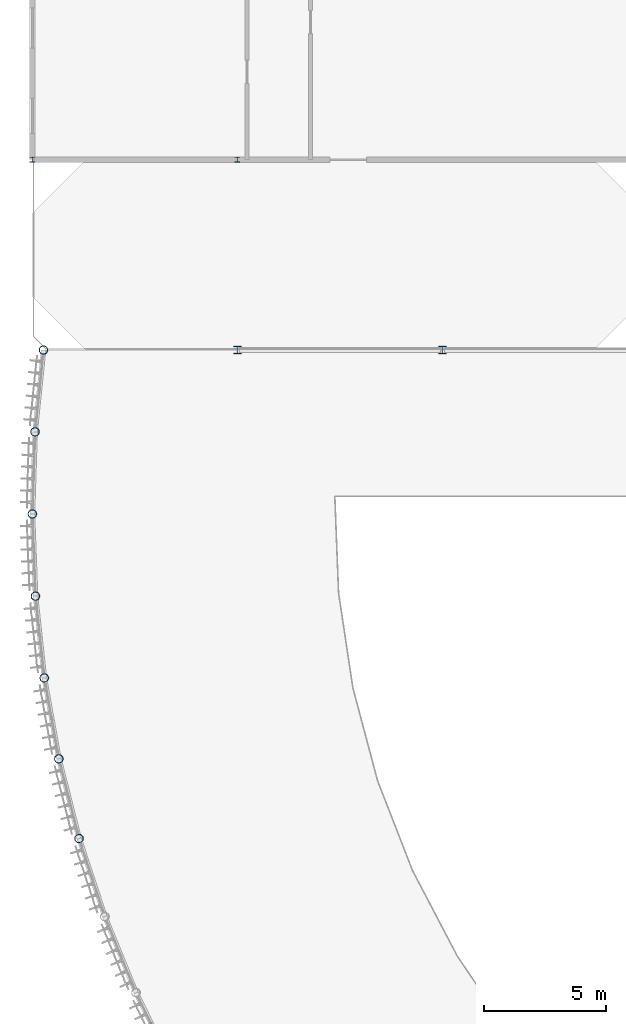
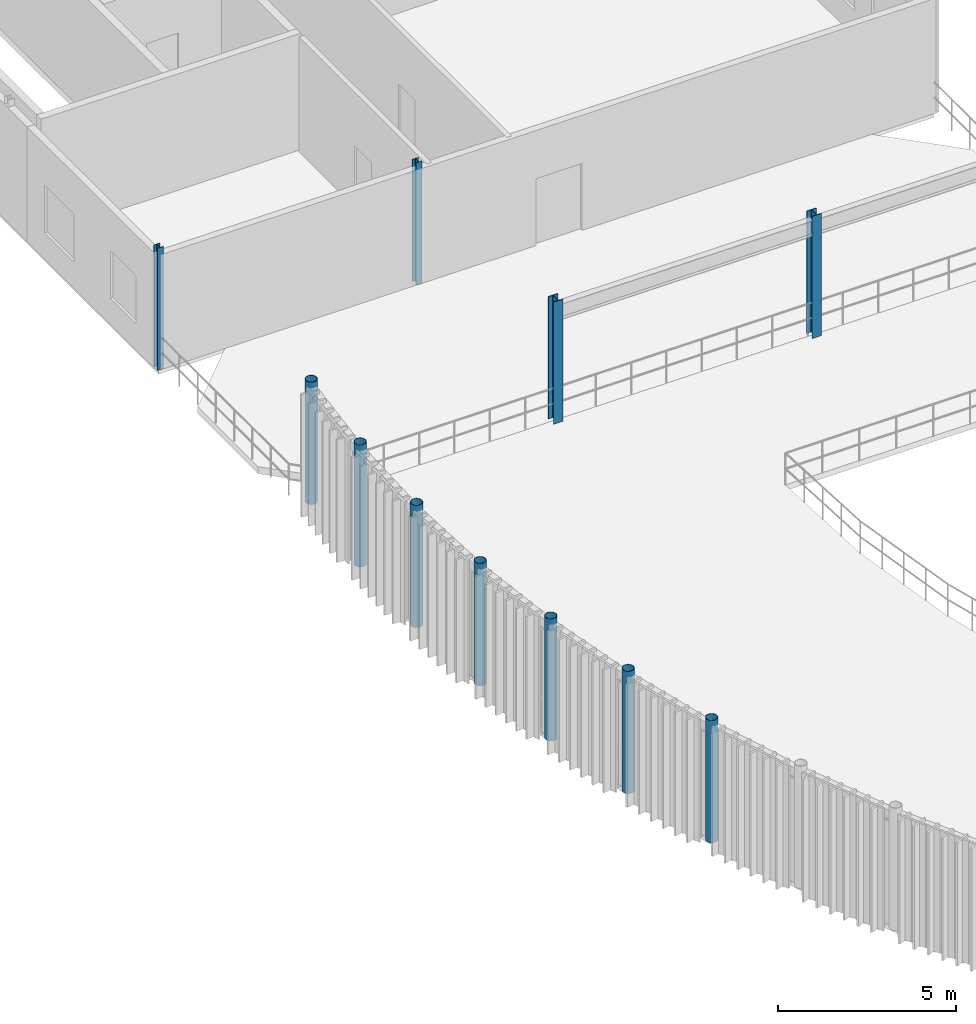
# One storey, part 3 of 32: 11 columns.
"""IFC4 building model written with IfcOpenShell, lengths in metres."""

from ifc_helpers import new_model, si_unit, direction, frame, origin, origin_2d, place, context, subcontext, project, spatial, hollow_circle, i_section, extrude, material, material_profile, profile_set, type_object, element, save


model = new_model("IFC4")

# Units and contexts
model_context = context("Model", 3, precision=1e-05, world=origin(), true_north=direction((0.0, 1.0)))
body_context = subcontext(model_context, "Body", "Model", "MODEL_VIEW")
ifc_project = project(units=[si_unit("LENGTHUNIT", "METRE"), si_unit("AREAUNIT", "SQUARE_METRE"), si_unit("VOLUMEUNIT", "CUBIC_METRE"), si_unit("PLANEANGLEUNIT", "RADIAN"), si_unit("MASSUNIT", "GRAM", prefix="KILO")], contexts=[model_context])

# Site, building, storey
site_placement = place(None, origin())
site = spatial("IfcSite", under=ifc_project, at=site_placement, CompositionType="ELEMENT")
building_placement = place(site_placement, origin())
building = spatial("IfcBuilding", under=site, at=building_placement, Name="Selat Folded Stagehouse", CompositionType="ELEMENT")
storey_placement = place(building_placement, frame((0.0, 0.0, 19.199951171875)))
storey = spatial("IfcBuildingStorey", under=building, at=storey_placement, Name="L04", CompositionType="ELEMENT", Elevation=19.199951171875)

# Columns
ifc_material = material(Name="Steel S355", Category="steel")
ifc_material_profile_1 = material_profile(ifc_material, hollow_circle(Radius=0.177734375, WallThickness=0.01611328125, at=origin_2d()), Name="CHS 355.6x16.0")
ifc_profile_set_1 = profile_set([ifc_material_profile_1], Name="Steel S355")
column_type_1 = type_object("IfcColumnType", Name="COL-CHS-355x16", PredefinedType="COLUMN", material=ifc_profile_set_1)
for number, where, z_axis, x_axis, name in (
    (1, (0.455810546875, 54.60009765625, 0.0), (0.0, 0.0, 1.0), (1.0, 0.0, 0.0), "L04 column STK-DRM-00"),
    (2, (0.110107421875, 51.248779296875, 0.0), (0.0, 0.0, 1.0), (1.0, 0.0, 0.0), "L04 column STK-DRM-01"),
    (3, (0.0, 47.881591796875, 0.0), (0.0, 0.0, 1.0), (1.0, 0.0, 0.0), "L04 column STK-DRM-02"),
    (4, (0.126708984375, 44.514892578125, 0.0), (0.0, 0.0, 1.0), (1.0, 0.0, 0.0), "L04 column STK-DRM-03"),
    (5, (0.489013671875, 41.16552734375, 0.0), (0.0, 0.0, 1.0), (1.0, 0.0, 0.0), "L04 column STK-DRM-04"),
    (6, (1.08544921875, 37.849609375, 0.0), (0.0, 0.0, 1.0), (1.0, 0.0, 0.0), "L04 column STK-DRM-05"),
    (7, (1.9130859375, 34.583984375, 0.0), (0.0, 0.0, 1.0), (1.0, 0.0, 0.0), "L04 column STK-DRM-06"),
):
    element("IfcColumn", number, at=place(storey_placement, frame(where, z_axis=z_axis, x_axis=x_axis)), inside=storey, type_object=column_type_1, Name=name, PredefinedType="COLUMN", context=body_context, shape_type="SweptSolid", body=[
        extrude(hollow_circle(Radius=0.177734375, WallThickness=0.01611328125, at=origin_2d()), origin(), (0.0, 0.0, 1.0), 4.199951171875),
    ])
ifc_material_profile_2 = material_profile(ifc_material, i_section(OverallWidth=0.205810546875, OverallDepth=0.209716796875, WebThickness=0.009521484375, FlangeThickness=0.01416015625, FilletRadius=0.01025390625, at=origin_2d()), Name="UKC 203x203x60")
ifc_profile_set_2 = profile_set([ifc_material_profile_2], Name="Steel S355")
column_type_2 = type_object("IfcColumnType", Name="COL-UKC-203x203x60", PredefinedType="COLUMN", material=ifc_profile_set_2)
for number, where, z_axis, x_axis, name in (
    (8, (0.0, 62.39990234375, 0.0), (0.0, 0.0, 1.0), (1.0, 0.0, 0.0), "L04 column STK-V4-01"),
    (9, (8.39990234375, 62.39990234375, 0.0), (0.0, 0.0, 1.0), (1.0, 0.0, 0.0), "L04 column STK-V4-05"),
):
    element("IfcColumn", number, at=place(storey_placement, frame(where, z_axis=z_axis, x_axis=x_axis)), inside=storey, type_object=column_type_2, Name=name, PredefinedType="COLUMN", context=body_context, shape_type="SweptSolid", body=[
        extrude(i_section(OverallWidth=0.205810546875, OverallDepth=0.209716796875, WebThickness=0.009521484375, FlangeThickness=0.01416015625, FilletRadius=0.01025390625, at=origin_2d()), origin(), (0.0, 0.0, 1.0), 4.199951171875),
    ])
ifc_material_profile_3 = material_profile(ifc_material, i_section(OverallWidth=0.30908203125, OverallDepth=0.320556640625, WebThickness=0.013916015625, FlangeThickness=0.021728515625, FilletRadius=0.01513671875, at=origin_2d()), Name="UKC 305x305x137")
ifc_profile_set_3 = profile_set([ifc_material_profile_3], Name="Steel S355")
column_type_3 = type_object("IfcColumnType", Name="COL-UKC-305x305x137", PredefinedType="COLUMN", material=ifc_profile_set_3)
for number, where, z_axis, x_axis, name in (
    (10, (8.39990234375, 54.60009765625, 0.0), (0.0, 0.0, 1.0), (1.0, 0.0, 0.0), "L04 column STK-V2-03"),
    (11, (16.800048828125, 54.60009765625, 0.0), (0.0, 0.0, 1.0), (1.0, 0.0, 0.0), "L04 column STK-V2-04"),
):
    element("IfcColumn", number, at=place(storey_placement, frame(where, z_axis=z_axis, x_axis=x_axis)), inside=storey, type_object=column_type_3, Name=name, PredefinedType="COLUMN", context=body_context, shape_type="SweptSolid", body=[
        extrude(i_section(OverallWidth=0.30908203125, OverallDepth=0.320556640625, WebThickness=0.013916015625, FlangeThickness=0.021728515625, FilletRadius=0.01513671875, at=origin_2d()), origin(), (0.0, 0.0, 1.0), 4.199951171875),
    ])

save(model, "model.ifc")
